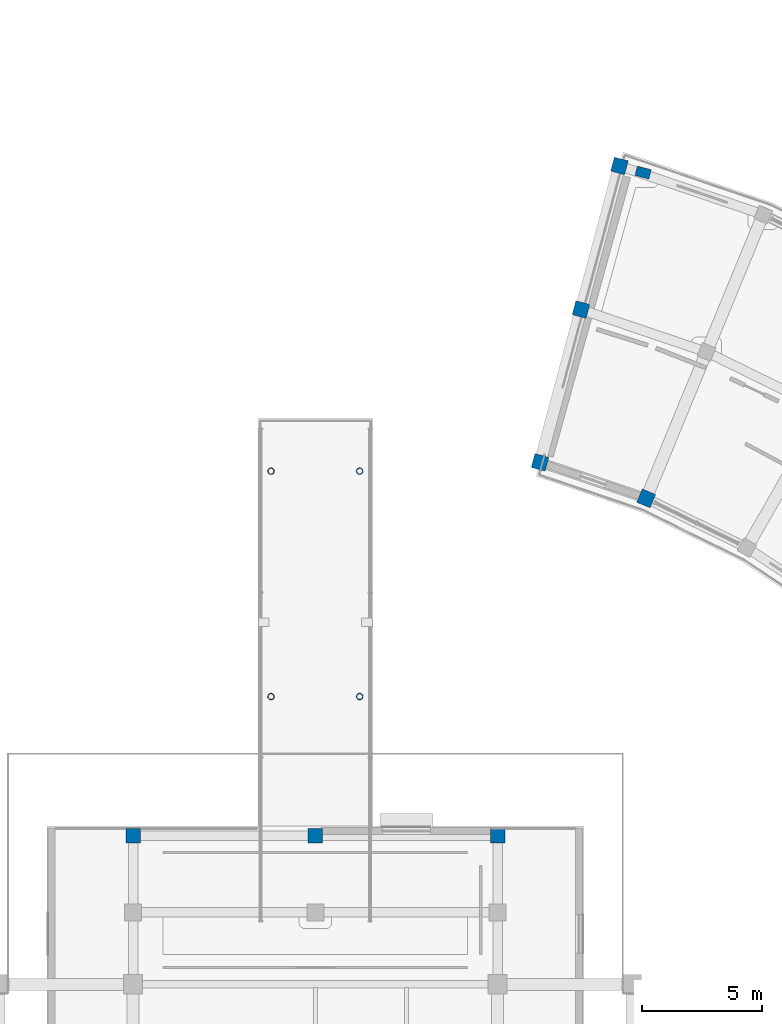
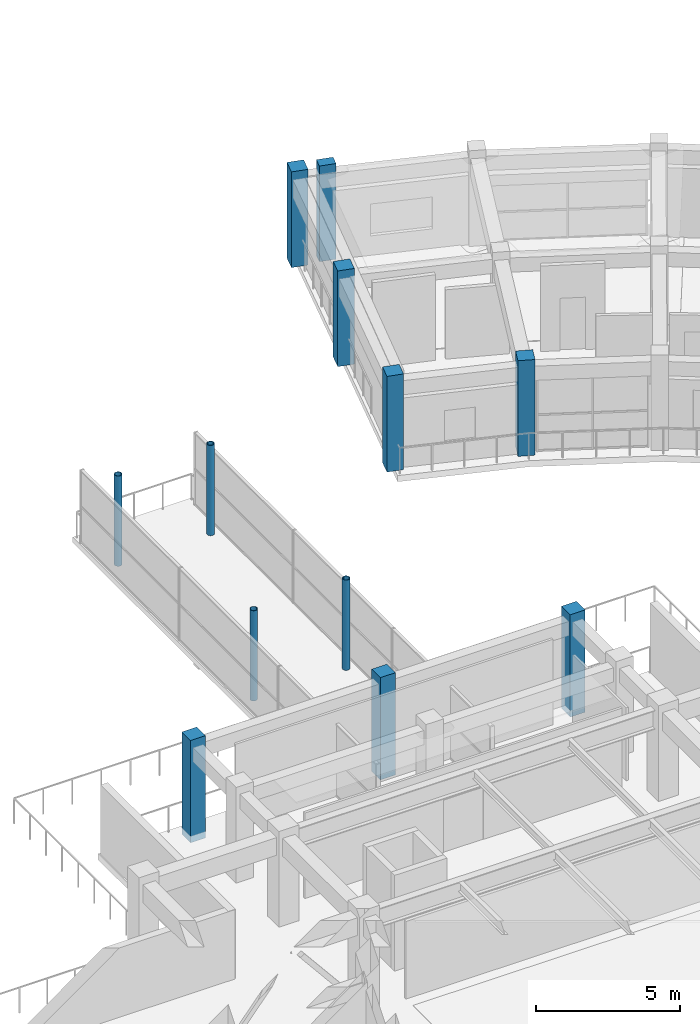
# One storey, part 10 of 72: 12 columns.
"""IFC4 building model written with IfcOpenShell, lengths in metres."""

import ifcopenshell
import ifcopenshell.guid

model = None  # the IFC model being written
_history = None  # IfcOwnerHistory: only IFC2X3 demands one
_inside = {}  # id of a spatial element -> (the spatial element, [elements in it])
_under = {}  # id of a project, library or spatial element -> (it, [spatial elements below it])
_declared = {}  # id of a project -> (the project, [libraries it declares])
_typed = {}  # id of a type object -> (the type object, [elements of that type])
_made_of = {}  # id of a material, layer set ... -> (it, [elements and type objects made of it])


def new_model(schema):
    """Start an empty IFC model of exactly this schema.

    Asked for "IFC4X3", IfcOpenShell would pick the latest addendum, in which some entities
    have other attributes; the version numbers below select the first issue.
    IFC2X3 requires an IfcOwnerHistory on every rooted entity: one is made here for all.
    """
    global model, _history
    if schema == "IFC4X3":
        model = ifcopenshell.file(schema_version=(4, 3, 0, 0))
    else:
        model = ifcopenshell.file(schema=schema)
    _inside.clear()
    _under.clear()
    _declared.clear()
    _typed.clear()
    _made_of.clear()
    _history = None
    if model.schema == "IFC2X3":
        org = make("IfcOrganization", Name="unknown")
        user = make(
            "IfcPersonAndOrganization",
            ThePerson=make("IfcPerson", FamilyName="unknown"),
            TheOrganization=org,
        )
        app = make(
            "IfcApplication",
            ApplicationDeveloper=org,
            Version="unknown",
            ApplicationFullName="unknown",
            ApplicationIdentifier="unknown",
        )
        _history = make(
            "IfcOwnerHistory",
            OwningUser=user,
            OwningApplication=app,
            ChangeAction="ADDED",
            CreationDate=0,
        )
    return model


def make(cls, **values):
    """One entity of the class cls with the attributes given. An attribute that is None is left unset."""
    return model.create_entity(
        cls, **{name: value for name, value in values.items() if value is not None}
    )


def rooted(cls, **values):
    """An entity with a GlobalId (a new one), such as an element, a storey or a relation."""
    return make(cls, GlobalId=ifcopenshell.guid.new(), OwnerHistory=_history, **values)


def si_unit(unit_type, name, prefix=None):
    """IfcSIUnit, for example si_unit("LENGTHUNIT", "METRE", prefix="MILLI")."""
    return make("IfcSIUnit", UnitType=unit_type, Prefix=prefix, Name=name)


def assignment(units):
    """IfcUnitAssignment: the units of a project."""
    return None if units is None else make("IfcUnitAssignment", Units=units)


def point(xyz):
    """IfcCartesianPoint."""
    return None if xyz is None else make("IfcCartesianPoint", Coordinates=xyz)


def direction(xyz):
    """IfcDirection."""
    return None if xyz is None else make("IfcDirection", DirectionRatios=xyz)


def frame(location, z_axis=None, x_axis=None):
    """IfcAxis2Placement3D, a coordinate frame: its origin and axes. An axis left out is left unset."""
    return make(
        "IfcAxis2Placement3D",
        Location=point(location),
        Axis=direction(z_axis),
        RefDirection=direction(x_axis),
    )


def frame_2d(location, x_axis=None):
    """IfcAxis2Placement2D, a coordinate frame in the plane: its origin and x axis."""
    return make(
        "IfcAxis2Placement2D", Location=point(location), RefDirection=direction(x_axis)
    )


def origin():
    """The frame at (0, 0, 0) with its axes left unset."""
    return frame((0.0, 0.0, 0.0))


def origin_2d():
    """The frame at (0, 0) in the plane with its x axis left unset."""
    return frame_2d((0.0, 0.0))


def place(relative_to, where):
    """IfcLocalPlacement: puts the frame where relative to a parent placement (None: the world)."""
    return make(
        "IfcLocalPlacement", PlacementRelTo=relative_to, RelativePlacement=where
    )


def context(
    kind, dimensions, precision=None, world=None, true_north=None, identifier=None
):
    """IfcGeometricRepresentationContext, for example the 3D "Model" context."""
    return make(
        "IfcGeometricRepresentationContext",
        ContextIdentifier=identifier,
        ContextType=kind,
        CoordinateSpaceDimension=dimensions,
        Precision=precision,
        WorldCoordinateSystem=world,
        TrueNorth=true_north,
    )


def subcontext(parent, identifier, kind, view, scale=None):
    """IfcGeometricRepresentationSubContext, for example "Body" below "Model"."""
    return make(
        "IfcGeometricRepresentationSubContext",
        ContextIdentifier=identifier,
        ContextType=kind,
        ParentContext=parent,
        TargetScale=scale,
        TargetView=view,
    )


def project(units=None, contexts=None):
    """IfcProject with its units and contexts."""
    return rooted(
        "IfcProject",
        Name="project",
        RepresentationContexts=contexts,
        UnitsInContext=assignment(units),
    )


def spatial(cls, under=None, at=None, **own):
    """A site, building, storey or space (cls), placed at a placement, below another one or the project."""
    s = rooted(cls, ObjectPlacement=at, **own)
    if under is not None:
        _under.setdefault(under.id(), (under, []))[1].append(s)
    return s


def profile(cls, at=None, kind="AREA", **sizes):
    """A parametric profile (cls). Its sizes go by their IFC names, for example OverallWidth=200.0."""
    return make(cls, ProfileType=kind, Position=at, **sizes)


def rectangle(**sizes):
    """IfcRectangleProfileDef."""
    return profile("IfcRectangleProfileDef", **sizes)


def hollow_circle(**sizes):
    """IfcCircleHollowProfileDef."""
    return profile("IfcCircleHollowProfileDef", **sizes)


def extrude(swept, where, along, depth):
    """IfcExtrudedAreaSolid: the profile swept, set in the frame where, extruded along a direction by depth."""
    return make(
        "IfcExtrudedAreaSolid",
        SweptArea=swept,
        Position=where,
        ExtrudedDirection=direction(along),
        Depth=depth,
    )


def shape(context_of_items, identifier, shape_type, items):
    """IfcShapeRepresentation: the items that make up one representation, for example the "Body"."""
    return make(
        "IfcShapeRepresentation",
        ContextOfItems=context_of_items,
        RepresentationIdentifier=identifier,
        RepresentationType=shape_type,
        Items=items,
    )


def material(Name=None, Category=None):
    """IfcMaterial."""
    return make("IfcMaterial", Name=Name, Category=Category)


def material_profile(
    of_material, cross_section, Name=None, Category=None, Priority=None
):
    """IfcMaterialProfile: a cross section and its material."""
    return make(
        "IfcMaterialProfile",
        Name=Name,
        Material=of_material,
        Profile=cross_section,
        Priority=Priority,
        Category=Category,
    )


def profile_set(profiles, Name=None, composite=None):
    """IfcMaterialProfileSet."""
    return make(
        "IfcMaterialProfileSet",
        Name=Name,
        MaterialProfiles=profiles,
        CompositeProfile=composite,
    )


def made_of(thing, what):
    """Note that an element or type object is made of a material, layer set ...; save() writes the relation."""
    if what is not None:
        _made_of.setdefault(what.id(), (what, []))[1].append(thing)
    return thing


def type_object(cls, material=None, **own):
    """A type object (cls), such as IfcWallType, which elements share."""
    return made_of(rooted(cls, **own), material)


def element(
    cls,
    number,
    at=None,
    inside=None,
    cuts=None,
    type_object=None,
    material=None,
    context=None,
    identifier="Body",
    shape_type=None,
    held_by="IfcProductDefinitionShape",
    body=None,
    shapes=None,
    **own,
):
    """One element of the class cls, such as IfcWall. Its Tag is "e" and its number.

    at: its placement. inside: the storey or other place that contains it. cuts: it is an
    opening in that element (IfcRelVoidsElement). A single representation is given by context,
    identifier, shape_type and body (its items); several are given by shapes. held_by: the class
    of the entity that holds the representations. save() writes the other relations.
    """
    e = rooted(cls, Tag="e%d" % number, ObjectPlacement=at, **own)
    if body is not None:
        shapes = [shape(context, identifier, shape_type, body)]
    if shapes is not None:
        e.Representation = make(held_by, Representations=shapes)
    if inside is not None:
        _inside.setdefault(inside.id(), (inside, []))[1].append(e)
    if cuts is not None:
        rooted(
            "IfcRelVoidsElement", RelatingBuildingElement=cuts, RelatedOpeningElement=e
        )
    if type_object is not None:
        _typed.setdefault(type_object.id(), (type_object, []))[1].append(e)
    return made_of(e, material)


def aggregate(whole, parts):
    """IfcRelAggregates: a whole, such as a stair, and the parts it consists of."""
    return rooted("IfcRelAggregates", RelatingObject=whole, RelatedObjects=parts)


def save(model, path):
    """Write the relations noted so far, then the file.

    IfcRelAggregates (storeys below a building ...), IfcRelContainedInSpatialStructure (elements
    in a storey), IfcRelDefinesByType, IfcRelAssociatesMaterial and IfcRelDeclares: one each for
    every whole, place, type object, material and project.
    """
    for whole, parts in _under.values():
        aggregate(whole, parts)
    for where, things in _inside.values():
        rooted(
            "IfcRelContainedInSpatialStructure",
            RelatedElements=things,
            RelatingStructure=where,
        )
    for kind, things in _typed.values():
        rooted("IfcRelDefinesByType", RelatedObjects=things, RelatingType=kind)
    for what, things in _made_of.values():
        rooted("IfcRelAssociatesMaterial", RelatedObjects=things, RelatingMaterial=what)
    for by, libraries in _declared.values():
        rooted("IfcRelDeclares", RelatingContext=by, RelatedDefinitions=libraries)
    model.write(path)


model = new_model("IFC4")

# Units and contexts
model_context = context("Model", 3, precision=1e-05, world=origin(), true_north=direction((0.0, 1.0)))
body_context = subcontext(model_context, "Body", "Model", "MODEL_VIEW")
ifc_project = project(units=[si_unit("LENGTHUNIT", "METRE"), si_unit("AREAUNIT", "SQUARE_METRE"), si_unit("VOLUMEUNIT", "CUBIC_METRE"), si_unit("PLANEANGLEUNIT", "RADIAN"), si_unit("MASSUNIT", "GRAM", prefix="KILO")], contexts=[model_context])

# Site, building, storey
site_placement = place(None, origin())
site = spatial("IfcSite", under=ifc_project, at=site_placement, CompositionType="ELEMENT")
building_placement = place(site_placement, origin())
building = spatial("IfcBuilding", under=site, at=building_placement, Name="Saryqyr Civic Hall", CompositionType="ELEMENT")
storey_placement = place(building_placement, frame((0.0, 0.0, 17.25)))
storey = spatial("IfcBuildingStorey", under=building, at=storey_placement, Name="L04", CompositionType="ELEMENT", Elevation=17.25)

# Columns
ifc_material_1 = material(Name="Steel S355", Category="steel")
ifc_material_profile_1 = material_profile(ifc_material_1, hollow_circle(Radius=0.136474609375, WallThickness=0.01611328125, at=origin_2d()), Name="CHS 273x16")
ifc_profile_set_1 = profile_set([ifc_material_profile_1], Name="Steel S355")
column_type_1 = type_object("IfcColumnType", Name="STR-COL-CHS273-S355", PredefinedType="COLUMN", material=ifc_profile_set_1)
for number, where, z_axis, x_axis, name in (
    (1, (55.14990234375, 109.199951171875, 0.0), (0.0, 0.0, 1.0), (1.0, 0.0, 0.0), "Column BRCOL-BR-CN-1-L04"),
    (2, (58.85009765625, 109.199951171875, 0.0), (0.0, 0.0, 1.0), (1.0, 0.0, 0.0), "Column BRCOL-BR-CN-2-L04"),
    (3, (58.85009765625, 118.60009765625, 0.0), (0.0, 0.0, 1.0), (1.0, 0.0, 0.0), "Column BRCOL-BR-CN-3-L04"),
    (4, (55.14990234375, 118.60009765625, 0.0), (0.0, 0.0, 1.0), (1.0, 0.0, 0.0), "Column BRCOL-BR-CN-4-L04"),
):
    element("IfcColumn", number, at=place(storey_placement, frame(where, z_axis=z_axis, x_axis=x_axis)), inside=storey, type_object=column_type_1, Name=name, PredefinedType="COLUMN", context=body_context, shape_type="SweptSolid", body=[
        extrude(hollow_circle(Radius=0.136474609375, WallThickness=0.01611328125, at=origin_2d()), origin(), (0.0, 0.0, 1.0), 3.820068359375),
    ])
ifc_material_2 = material(Name="Concrete C40/50", Category="concrete")
ifc_material_profile_2 = material_profile(ifc_material_2, rectangle(XDim=0.60009765625, YDim=0.60009765625, at=origin_2d()), Name="RC 600x600")
ifc_profile_set_2 = profile_set([ifc_material_profile_2], Name="Concrete C40/50")
column_type_2 = type_object("IfcColumnType", Name="STR-COL-RC600-C40", PredefinedType="COLUMN", material=ifc_profile_set_2)
for number, where, z_axis, x_axis, name in (
    (5, (49.39990234375, 103.39990234375, -0.280029296875), (0.0, 0.0, 1.0), (1.0, 0.0, 0.0), "Column V1-COL-TG-N1-L04"),
    (6, (57.0, 103.39990234375, -0.280029296875), (0.0, 0.0, 1.0), (1.0, 0.0, 0.0), "Column V1-COL-TG-N2-L04"),
    (7, (64.60009765625, 103.39990234375, -0.280029296875), (0.0, 0.0, 1.0), (1.0, 0.0, 0.0), "Column V1-COL-TG-N3-L04"),
):
    element("IfcColumn", number, at=place(storey_placement, frame(where, z_axis=z_axis, x_axis=x_axis)), inside=storey, type_object=column_type_2, Name=name, PredefinedType="COLUMN", context=body_context, shape_type="SweptSolid", body=[
        extrude(rectangle(XDim=0.60009765625, YDim=0.60009765625, at=origin_2d()), origin(), (0.0, 0.0, 1.0), 4.330078125),
    ])
for number, where, z_axis, x_axis, name in (
    (8, (70.797607421875, 117.46728515625, 0.0), (0.0, 0.0, 1.0), (0.381231734269, 0.924479510204, 0.0), "Column V6-COL-IN09-L04"),
    (9, (66.369140625, 118.966552734375, 0.0), (0.0, 0.0, 1.0), (0.258819045103, 0.965925826289, 0.0), "Column V6-COL-IN10-L04"),
    (10, (68.077392578125, 125.341552734375, 0.0), (0.0, 0.0, 1.0), (0.258819045103, 0.965925826289, 0.0), "Column V6-COL-MID10-L04"),
    (11, (69.68212890625, 131.330322265625, 0.0), (0.0, 0.0, 1.0), (0.258819045103, 0.965925826289, 0.0), "Column V6-COL-OUT10-L04"),
):
    element("IfcColumn", number, at=place(storey_placement, frame(where, z_axis=z_axis, x_axis=x_axis)), inside=storey, type_object=column_type_2, Name=name, PredefinedType="COLUMN", context=body_context, shape_type="SweptSolid", body=[
        extrude(rectangle(XDim=0.60009765625, YDim=0.60009765625, at=origin_2d()), origin(), (0.0, 0.0, 1.0), 4.050048828125),
    ])
ifc_material_profile_3 = material_profile(ifc_material_2, rectangle(XDim=0.39990234375, YDim=0.60009765625, at=origin_2d()), Name="RC 400x600")
ifc_profile_set_3 = profile_set([ifc_material_profile_3], Name="Concrete C40/50")
column_type_3 = type_object("IfcColumnType", Name="STR-PIL-RC400x600-EXT", PredefinedType="PILASTER", material=ifc_profile_set_3)
column_placement = place(storey_placement, frame((70.670654296875, 131.054443359375, 0.0), z_axis=(0.0, 0.0, 1.0), x_axis=(0.258819045103, 0.965925826289, 0.0)))
element("IfcColumn", 12, at=column_placement, inside=storey, type_object=column_type_3, Name="Column V6-PIL-10-L04", PredefinedType="PILASTER", context=body_context, shape_type="SweptSolid", body=[
    extrude(rectangle(XDim=0.39990234375, YDim=0.60009765625, at=origin_2d()), origin(), (0.0, 0.0, 1.0), 4.050048828125),
])

save(model, "model.ifc")
